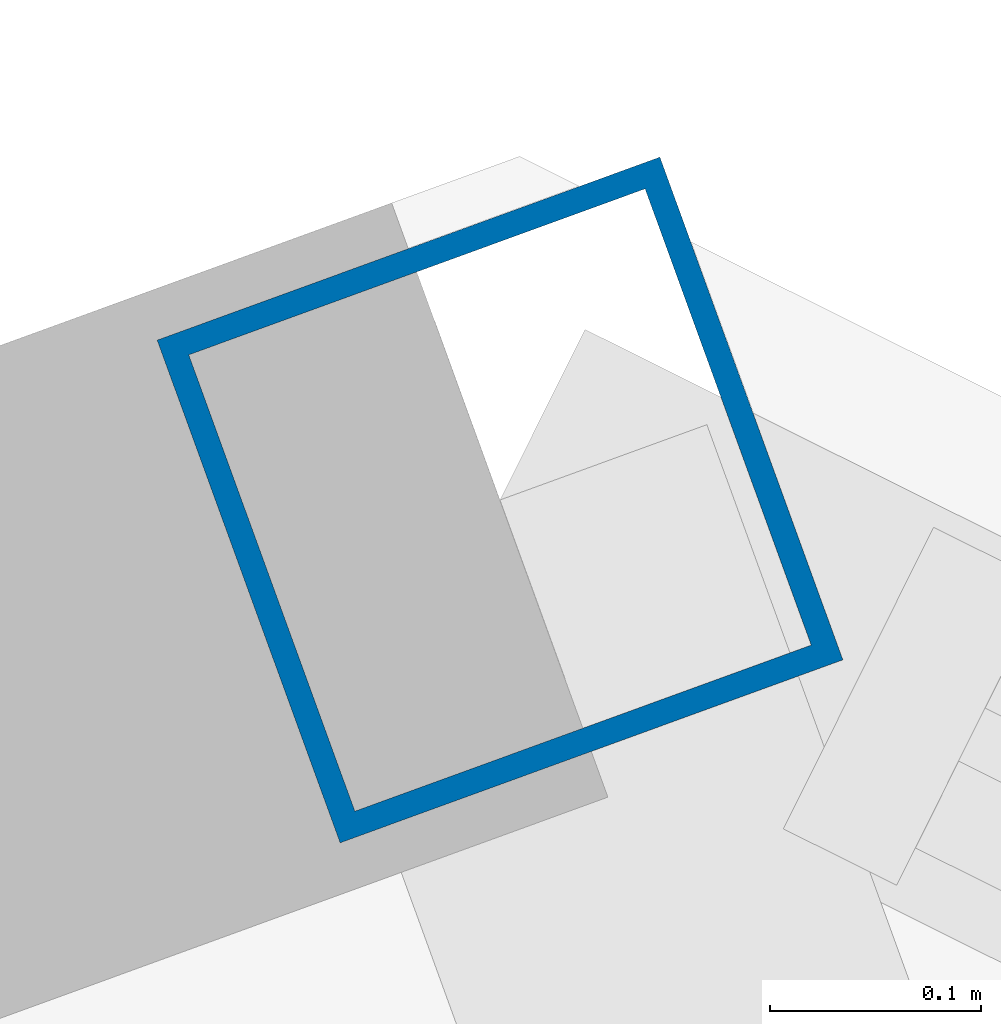
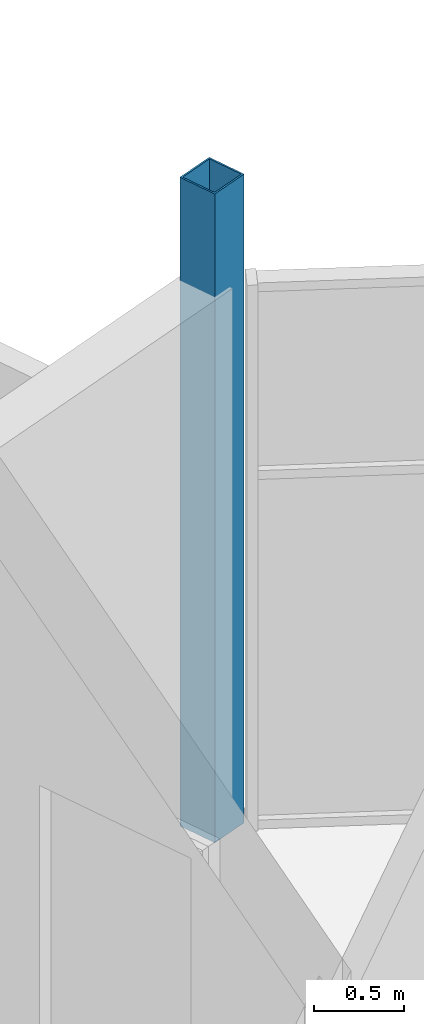
# One storey, part 13 of 115: 1 column.
"""IFC4 building model written with IfcOpenShell, lengths in metres."""

from ifc_helpers import new_model, si_unit, direction, frame, origin, origin_2d, place, context, subcontext, project, spatial, hollow_rectangle, extrude, material, material_profile, profile_set, type_object, element, save


model = new_model("IFC4")

# Units and contexts
model_context = context("Model", 3, precision=1e-05, world=origin(), true_north=direction((0.0, 1.0)))
body_context = subcontext(model_context, "Body", "Model", "MODEL_VIEW")
ifc_project = project(units=[si_unit("LENGTHUNIT", "METRE"), si_unit("AREAUNIT", "SQUARE_METRE"), si_unit("VOLUMEUNIT", "CUBIC_METRE"), si_unit("PLANEANGLEUNIT", "RADIAN"), si_unit("MASSUNIT", "GRAM", prefix="KILO")], contexts=[model_context])

# Site, building, storey
site_placement = place(None, origin())
site = spatial("IfcSite", under=ifc_project, at=site_placement, CompositionType="ELEMENT")
building_placement = place(site_placement, origin())
building = spatial("IfcBuilding", under=site, at=building_placement, Name="Windward Yard Aquatics Centre", CompositionType="ELEMENT")
storey_placement = place(building_placement, frame((0.0, 0.0, 5.0)))
storey = spatial("IfcBuildingStorey", under=building, at=storey_placement, Name="L01", CompositionType="ELEMENT", Elevation=5.0)

# Column
ifc_material = material(Name="Steel S355", Category="steel")
ifc_material_profile = material_profile(ifc_material, hollow_rectangle(XDim=0.25390625, YDim=0.25390625, WallThickness=0.01171875, at=origin_2d()), Name="HSS254x254x12.7")
ifc_profile_set = profile_set([ifc_material_profile], Name="Steel S355")
column_type = type_object("IfcColumnType", Name="F HSS254x254x12.7 column", PredefinedType="COLUMN", material=ifc_profile_set)
column_placement = place(storey_placement, frame((31.5068359375, 104.64599609375, 0.0), z_axis=(0.0, 0.0, 1.0), x_axis=(0.939692620786, 0.342020143326, 0.0)))
element("IfcColumn", 1, at=column_placement, inside=storey, type_object=column_type, Name="F.COL.L01.07", PredefinedType="COLUMN", context=body_context, shape_type="SweptSolid", body=[
    extrude(hollow_rectangle(XDim=0.25390625, YDim=0.25390625, WallThickness=0.01171875, at=origin_2d()), origin(), (0.0, 0.0, 1.0), 4.39990234375),
])

save(model, "model.ifc")
